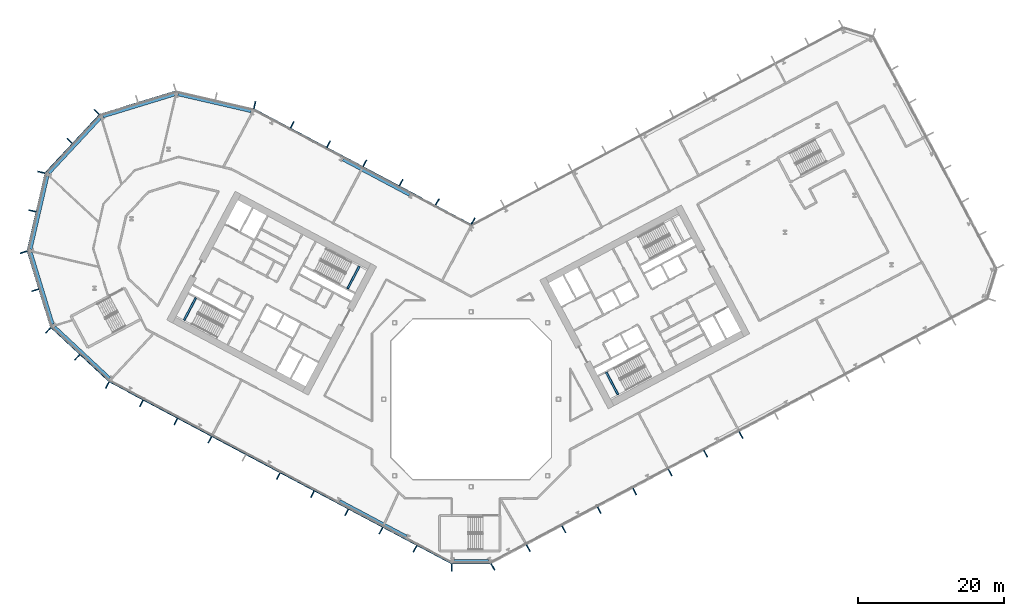
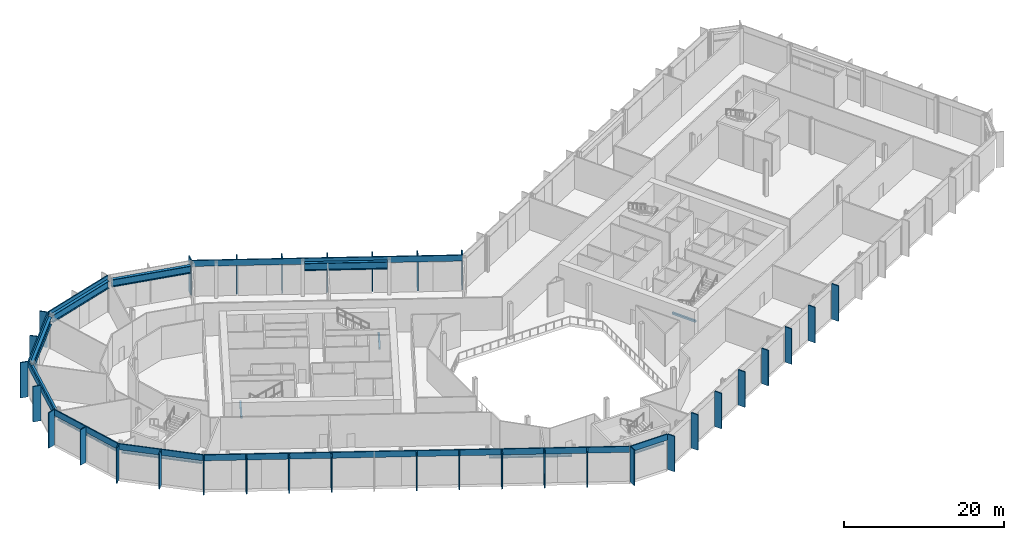
# One storey, part 6 of 30: 41 members, 12 beams, 10 elements without a shape of their own.
"""IFC4 building model written with IfcOpenShell, lengths in metres."""

from ifc_helpers import new_model, si_unit, direction, frame, origin, origin_2d, place, context, subcontext, project, spatial, rectangle, i_section, extrude, material, layer, layer_set, material_profile, profile_set, type_object, element, aggregate, save


model = new_model("IFC4")

# Units and contexts
model_context = context("Model", 3, precision=1e-05, world=origin(), true_north=direction((0.0, 1.0)))
body_context = subcontext(model_context, "Body", "Model", "MODEL_VIEW")
ifc_project = project(units=[si_unit("LENGTHUNIT", "METRE"), si_unit("AREAUNIT", "SQUARE_METRE"), si_unit("VOLUMEUNIT", "CUBIC_METRE"), si_unit("PLANEANGLEUNIT", "RADIAN"), si_unit("MASSUNIT", "GRAM", prefix="KILO")], contexts=[model_context])

# Site, building, storey
site_placement = place(None, origin())
site = spatial("IfcSite", under=ifc_project, at=site_placement, CompositionType="ELEMENT")
building_placement = place(site_placement, origin())
building = spatial("IfcBuilding", under=site, at=building_placement, Name="Cormorant Relay Tower", CompositionType="ELEMENT")
storey_placement = place(building_placement, frame((0.0, 0.0, 55.39990234375)))
storey = spatial("IfcBuildingStorey", under=building, at=storey_placement, Name="L10", CompositionType="ELEMENT", Elevation=55.39990234375)

# Curtain wall, member
ifc_material_1 = material(Name="Aluminium 6063-T6 anodised bronze", Category="aluminium")
ifc_layer = layer(ifc_material_1, 0.235107421875)
ifc_layer_set = layer_set([ifc_layer], Name="CW6 data hall curtain wall with mineral wool panels")
curtain_wall_type = type_object("IfcCurtainWallType", Name="CW6 data hall curtain wall with mineral wool panels", PredefinedType="NOTDEFINED", material=ifc_layer_set)
curtain_wall_1_placement = place(storey_placement, origin())
curtain_wall_1 = element("IfcCurtainWall", 1, at=curtain_wall_1_placement, inside=storey, type_object=curtain_wall_type, Name="CW6 curtain wall 1", PredefinedType="NOTDEFINED")
ifc_material_2 = material(Name="Aluminium 6063-T6 anodised bronze", Category="aluminium")
ifc_material_profile_1 = material_profile(ifc_material_2, rectangle(XDim=0.14990234375, YDim=1.0, at=origin_2d()), Name="AL 150x1000")
ifc_profile_set_1 = profile_set([ifc_material_profile_1], Name="Aluminium 6063-T6 anodised bronze")
member_type_1 = type_object("IfcMemberType", Name="CW6 bronze fin mullion 150 x 1000", PredefinedType="MULLION", material=ifc_profile_set_1)
member_1_placement = place(storey_placement, frame((-2.648681640625, -23.110595703125, 0.0), z_axis=(0.0, 0.0, 1.0), x_axis=(1.0, 0.0, 0.0)))
member_1 = element("IfcMember", 2, at=member_1_placement, type_object=member_type_1, Name="CW6 fin 1.1", PredefinedType="MULLION", context=body_context, shape_type="SweptSolid", body=[
    extrude(rectangle(XDim=0.14990234375, YDim=1.0, at=origin_2d()), origin(), (0.0, 0.0, 1.0), 5.400146484375),
])

# Curtain wall, members
curtain_wall_2_placement = place(storey_placement, origin())
curtain_wall_2 = element("IfcCurtainWall", 3, at=curtain_wall_2_placement, inside=storey, type_object=curtain_wall_type, Name="CW6 curtain wall 2", PredefinedType="NOTDEFINED")
member_2_placement = place(storey_placement, frame((2.993896484375, -23.0244140625, 0.0), z_axis=(0.0, 0.0, 1.0), x_axis=(0.882947592859, 0.469471562786, 0.0)))
member_2 = element("IfcMember", 4, at=member_2_placement, type_object=member_type_1, Name="CW6 fin 2.1", PredefinedType="MULLION", context=body_context, shape_type="SweptSolid", body=[
    extrude(rectangle(XDim=0.14990234375, YDim=1.0, at=origin_2d()), origin(), (0.0, 0.0, 1.0), 5.400146484375),
])
member_3_placement = place(storey_placement, frame((7.860595703125, -20.43701171875, 0.0), z_axis=(0.0, 0.0, 1.0), x_axis=(0.882947592859, 0.469471562786, 0.0)))
member_3 = element("IfcMember", 5, at=member_3_placement, type_object=member_type_1, Name="CW6 fin 2.2", PredefinedType="MULLION", context=body_context, shape_type="SweptSolid", body=[
    extrude(rectangle(XDim=0.14990234375, YDim=1.0, at=origin_2d()), origin(), (0.0, 0.0, 1.0), 5.400146484375),
])
member_4_placement = place(storey_placement, frame((12.727294921875, -17.84912109375, 0.0), z_axis=(0.0, 0.0, 1.0), x_axis=(0.882947592859, 0.469471562786, 0.0)))
member_4 = element("IfcMember", 6, at=member_4_placement, type_object=member_type_1, Name="CW6 fin 2.3", PredefinedType="MULLION", context=body_context, shape_type="SweptSolid", body=[
    extrude(rectangle(XDim=0.14990234375, YDim=1.0, at=origin_2d()), origin(), (0.0, 0.0, 1.0), 5.400146484375),
])
member_5_placement = place(storey_placement, frame((17.593994140625, -15.26171875, 0.0), z_axis=(0.0, 0.0, 1.0), x_axis=(0.882947592859, 0.469471562786, 0.0)))
member_5 = element("IfcMember", 7, at=member_5_placement, type_object=member_type_1, Name="CW6 fin 2.4", PredefinedType="MULLION", context=body_context, shape_type="SweptSolid", body=[
    extrude(rectangle(XDim=0.14990234375, YDim=1.0, at=origin_2d()), origin(), (0.0, 0.0, 1.0), 5.400146484375),
])
member_6_placement = place(storey_placement, frame((22.460693359375, -12.673828125, 0.0), z_axis=(0.0, 0.0, 1.0), x_axis=(0.882947592859, 0.469471562786, 0.0)))
member_6 = element("IfcMember", 8, at=member_6_placement, type_object=member_type_1, Name="CW6 fin 2.5", PredefinedType="MULLION", context=body_context, shape_type="SweptSolid", body=[
    extrude(rectangle(XDim=0.14990234375, YDim=1.0, at=origin_2d()), origin(), (0.0, 0.0, 1.0), 5.400146484375),
])
member_7_placement = place(storey_placement, frame((27.327392578125, -10.086181640625, 0.0), z_axis=(0.0, 0.0, 1.0), x_axis=(0.882947592859, 0.469471562786, 0.0)))
member_7 = element("IfcMember", 9, at=member_7_placement, type_object=member_type_1, Name="CW6 fin 2.6", PredefinedType="MULLION", context=body_context, shape_type="SweptSolid", body=[
    extrude(rectangle(XDim=0.14990234375, YDim=1.0, at=origin_2d()), origin(), (0.0, 0.0, 1.0), 5.400146484375),
])
member_8_placement = place(storey_placement, frame((32.194091796875, -7.49853515625, 0.0), z_axis=(0.0, 0.0, 1.0), x_axis=(0.882947592859, 0.469471562786, 0.0)))
member_8 = element("IfcMember", 10, at=member_8_placement, type_object=member_type_1, Name="CW6 fin 2.7", PredefinedType="MULLION", context=body_context, shape_type="SweptSolid", body=[
    extrude(rectangle(XDim=0.14990234375, YDim=1.0, at=origin_2d()), origin(), (0.0, 0.0, 1.0), 5.400146484375),
])
member_9_placement = place(storey_placement, frame((37.060546875, -4.910888671875, 0.0), z_axis=(0.0, 0.0, 1.0), x_axis=(0.882947592859, 0.469471562786, 0.0)))
member_9 = element("IfcMember", 11, at=member_9_placement, type_object=member_type_1, Name="CW6 fin 2.8", PredefinedType="MULLION", context=body_context, shape_type="SweptSolid", body=[
    extrude(rectangle(XDim=0.14990234375, YDim=1.0, at=origin_2d()), origin(), (0.0, 0.0, 1.0), 5.400146484375),
])
aggregate(curtain_wall_2, [member_2, member_3, member_4, member_5, member_6, member_7, member_8, member_9])

curtain_wall_3_placement = place(storey_placement, origin())
curtain_wall_3 = element("IfcCurtainWall", 12, at=curtain_wall_3_placement, inside=storey, type_object=curtain_wall_type, Name="CW6 curtain wall 7", PredefinedType="NOTDEFINED")
member_10_placement = place(storey_placement, frame((0.27880859375, 24.468017578125, 0.0), z_axis=(0.0, 0.0, 1.0), x_axis=(-0.882947592859, 0.469471562786, 0.0)))
member_10 = element("IfcMember", 13, at=member_10_placement, type_object=member_type_1, Name="CW6 fin 7.1", PredefinedType="MULLION", context=body_context, shape_type="SweptSolid", body=[
    extrude(rectangle(XDim=0.14990234375, YDim=1.0, at=origin_2d()), origin(), (0.0, 0.0, 1.0), 5.400146484375),
])
member_11_placement = place(storey_placement, frame((-4.6337890625, 27.080322265625, 0.0), z_axis=(0.0, 0.0, 1.0), x_axis=(-0.882947592859, 0.469471562786, 0.0)))
member_11 = element("IfcMember", 14, at=member_11_placement, type_object=member_type_1, Name="CW6 fin 7.2", PredefinedType="MULLION", context=body_context, shape_type="SweptSolid", body=[
    extrude(rectangle(XDim=0.14990234375, YDim=1.0, at=origin_2d()), origin(), (0.0, 0.0, 1.0), 5.400146484375),
])
member_12_placement = place(storey_placement, frame((-9.61279296875, 29.727783203125, 0.0), z_axis=(0.0, 0.0, 1.0), x_axis=(-0.882947592859, 0.469471562786, 0.0)))
member_12 = element("IfcMember", 15, at=member_12_placement, type_object=member_type_1, Name="CW6 fin 7.3", PredefinedType="MULLION", context=body_context, shape_type="SweptSolid", body=[
    extrude(rectangle(XDim=0.14990234375, YDim=1.0, at=origin_2d()), origin(), (0.0, 0.0, 1.0), 5.400146484375),
])
member_13_placement = place(storey_placement, frame((-14.591796875, 32.375, 0.0), z_axis=(0.0, 0.0, 1.0), x_axis=(-0.882947592859, 0.469471562786, 0.0)))
member_13 = element("IfcMember", 16, at=member_13_placement, type_object=member_type_1, Name="CW6 fin 7.4", PredefinedType="MULLION", context=body_context, shape_type="SweptSolid", body=[
    extrude(rectangle(XDim=0.14990234375, YDim=1.0, at=origin_2d()), origin(), (0.0, 0.0, 1.0), 5.400146484375),
])
member_14_placement = place(storey_placement, frame((-19.57080078125, 35.0224609375, 0.0), z_axis=(0.0, 0.0, 1.0), x_axis=(-0.882947592859, 0.469471562786, 0.0)))
member_14 = element("IfcMember", 17, at=member_14_placement, type_object=member_type_1, Name="CW6 fin 7.5", PredefinedType="MULLION", context=body_context, shape_type="SweptSolid", body=[
    extrude(rectangle(XDim=0.14990234375, YDim=1.0, at=origin_2d()), origin(), (0.0, 0.0, 1.0), 5.400146484375),
])
member_15_placement = place(storey_placement, frame((-24.5498046875, 37.669677734375, 0.0), z_axis=(0.0, 0.0, 1.0), x_axis=(-0.882947592859, 0.469471562786, 0.0)))
member_15 = element("IfcMember", 18, at=member_15_placement, type_object=member_type_1, Name="CW6 fin 7.6", PredefinedType="MULLION", context=body_context, shape_type="SweptSolid", body=[
    extrude(rectangle(XDim=0.14990234375, YDim=1.0, at=origin_2d()), origin(), (0.0, 0.0, 1.0), 5.400146484375),
])

# Curtain wall, member
curtain_wall_4_placement = place(storey_placement, origin())
curtain_wall_4 = element("IfcCurtainWall", 19, at=curtain_wall_4_placement, inside=storey, type_object=curtain_wall_type, Name="CW6 curtain wall 8", PredefinedType="NOTDEFINED")
member_16_placement = place(storey_placement, frame((-29.70849609375, 40.38427734375, 0.0), z_axis=(0.0, 0.0, 1.0), x_axis=(-0.974370064785, 0.224951054344, 0.0)))
member_16 = element("IfcMember", 20, at=member_16_placement, type_object=member_type_1, Name="CW6 fin 8.1", PredefinedType="MULLION", context=body_context, shape_type="SweptSolid", body=[
    extrude(rectangle(XDim=0.14990234375, YDim=1.0, at=origin_2d()), origin(), (0.0, 0.0, 1.0), 5.400146484375),
])
aggregate(curtain_wall_4, [member_16])

# Curtain wall, members
curtain_wall_5_placement = place(storey_placement, origin())
curtain_wall_5 = element("IfcCurtainWall", 21, at=curtain_wall_5_placement, inside=storey, type_object=curtain_wall_type, Name="CW6 curtain wall 10", PredefinedType="NOTDEFINED")
member_17_placement = place(storey_placement, frame((-51.3984375, 39.4365234375, 0.0), z_axis=(0.0, 0.0, 1.0), x_axis=(-0.681998360062, -0.731353701619, 0.0)))
member_17 = element("IfcMember", 22, at=member_17_placement, type_object=member_type_1, Name="CW6 fin 10.1", PredefinedType="MULLION", context=body_context, shape_type="SweptSolid", body=[
    extrude(rectangle(XDim=0.14990234375, YDim=1.0, at=origin_2d()), origin(), (0.0, 0.0, 1.0), 5.400146484375),
])
member_18_placement = place(storey_placement, frame((-55.105224609375, 35.46142578125, 0.0), z_axis=(0.0, 0.0, 1.0), x_axis=(-0.681998360062, -0.731353701619, 0.0)))
member_18 = element("IfcMember", 23, at=member_18_placement, type_object=member_type_1, Name="CW6 fin 10.2", PredefinedType="MULLION", context=body_context, shape_type="SweptSolid", body=[
    extrude(rectangle(XDim=0.14990234375, YDim=1.0, at=origin_2d()), origin(), (0.0, 0.0, 1.0), 5.400146484375),
])

curtain_wall_6_placement = place(storey_placement, origin())
curtain_wall_6 = element("IfcCurtainWall", 24, at=curtain_wall_6_placement, inside=storey, type_object=curtain_wall_type, Name="CW6 curtain wall 11", PredefinedType="NOTDEFINED")
member_19_placement = place(storey_placement, frame((-58.99072265625, 31.150390625, 0.0), z_axis=(0.0, 0.0, 1.0), x_axis=(-0.224951054344, -0.974370064785, 0.0)))
member_19 = element("IfcMember", 25, at=member_19_placement, type_object=member_type_1, Name="CW6 fin 11.1", PredefinedType="MULLION", context=body_context, shape_type="SweptSolid", body=[
    extrude(rectangle(XDim=0.14990234375, YDim=1.0, at=origin_2d()), origin(), (0.0, 0.0, 1.0), 5.400146484375),
])
member_20_placement = place(storey_placement, frame((-60.21337890625, 25.8544921875, 0.0), z_axis=(0.0, 0.0, 1.0), x_axis=(-0.224951054344, -0.974370064785, 0.0)))
member_20 = element("IfcMember", 26, at=member_20_placement, type_object=member_type_1, Name="CW6 fin 11.2", PredefinedType="MULLION", context=body_context, shape_type="SweptSolid", body=[
    extrude(rectangle(XDim=0.14990234375, YDim=1.0, at=origin_2d()), origin(), (0.0, 0.0, 1.0), 5.400146484375),
])

curtain_wall_7_placement = place(storey_placement, origin())
curtain_wall_7 = element("IfcCurtainWall", 27, at=curtain_wall_7_placement, inside=storey, type_object=curtain_wall_type, Name="CW6 curtain wall 12", PredefinedType="NOTDEFINED")
member_21_placement = place(storey_placement, frame((-61.422607421875, 20.178466796875, 0.0), z_axis=(0.0, 0.0, 1.0), x_axis=(0.292371704723, -0.956304755963, 0.0)))
member_21 = element("IfcMember", 28, at=member_21_placement, type_object=member_type_1, Name="CW6 fin 12.1", PredefinedType="MULLION", context=body_context, shape_type="SweptSolid", body=[
    extrude(rectangle(XDim=0.14990234375, YDim=1.0, at=origin_2d()), origin(), (0.0, 0.0, 1.0), 5.400146484375),
])
member_22_placement = place(storey_placement, frame((-59.83349609375, 14.980712890625, 0.0), z_axis=(0.0, 0.0, 1.0), x_axis=(0.292371704723, -0.956304755963, 0.0)))
member_22 = element("IfcMember", 29, at=member_22_placement, type_object=member_type_1, Name="CW6 fin 12.2", PredefinedType="MULLION", context=body_context, shape_type="SweptSolid", body=[
    extrude(rectangle(XDim=0.14990234375, YDim=1.0, at=origin_2d()), origin(), (0.0, 0.0, 1.0), 5.400146484375),
])

curtain_wall_8_placement = place(storey_placement, origin())
curtain_wall_8 = element("IfcCurtainWall", 30, at=curtain_wall_8_placement, inside=storey, type_object=curtain_wall_type, Name="CW6 curtain wall 13", PredefinedType="NOTDEFINED")
member_23_placement = place(storey_placement, frame((-58.04296875, 9.46044921875, 0.0), z_axis=(0.0, 0.0, 1.0), x_axis=(0.731353701619, -0.681998360062, 0.0)))
member_23 = element("IfcMember", 31, at=member_23_placement, type_object=member_type_1, Name="CW6 fin 13.1", PredefinedType="MULLION", context=body_context, shape_type="SweptSolid", body=[
    extrude(rectangle(XDim=0.14990234375, YDim=1.0, at=origin_2d()), origin(), (0.0, 0.0, 1.0), 5.400146484375),
])
member_24_placement = place(storey_placement, frame((-54.06787109375, 5.753662109375, 0.0), z_axis=(0.0, 0.0, 1.0), x_axis=(0.731353701619, -0.681998360062, 0.0)))
member_24 = element("IfcMember", 32, at=member_24_placement, type_object=member_type_1, Name="CW6 fin 13.2", PredefinedType="MULLION", context=body_context, shape_type="SweptSolid", body=[
    extrude(rectangle(XDim=0.14990234375, YDim=1.0, at=origin_2d()), origin(), (0.0, 0.0, 1.0), 5.400146484375),
])

curtain_wall_9_placement = place(storey_placement, origin())
curtain_wall_9 = element("IfcCurtainWall", 33, at=curtain_wall_9_placement, inside=storey, type_object=curtain_wall_type, Name="CW6 curtain wall 14", PredefinedType="NOTDEFINED")
member_25_placement = place(storey_placement, frame((-49.9365234375, 1.935302734375, 0.0), z_axis=(0.0, 0.0, 1.0), x_axis=(0.882947592859, -0.469471562786, 0.0)))
member_25 = element("IfcMember", 34, at=member_25_placement, type_object=member_type_1, Name="CW6 fin 14.1", PredefinedType="MULLION", context=body_context, shape_type="SweptSolid", body=[
    extrude(rectangle(XDim=0.14990234375, YDim=1.0, at=origin_2d()), origin(), (0.0, 0.0, 1.0), 5.400146484375),
])
member_26_placement = place(storey_placement, frame((-45.2421875, -0.560546875, 0.0), z_axis=(0.0, 0.0, 1.0), x_axis=(0.882947592859, -0.469471562786, 0.0)))
member_26 = element("IfcMember", 35, at=member_26_placement, type_object=member_type_1, Name="CW6 fin 14.2", PredefinedType="MULLION", context=body_context, shape_type="SweptSolid", body=[
    extrude(rectangle(XDim=0.14990234375, YDim=1.0, at=origin_2d()), origin(), (0.0, 0.0, 1.0), 5.400146484375),
])
member_27_placement = place(storey_placement, frame((-40.548095703125, -3.056640625, 0.0), z_axis=(0.0, 0.0, 1.0), x_axis=(0.882947592859, -0.469471562786, 0.0)))
member_27 = element("IfcMember", 36, at=member_27_placement, type_object=member_type_1, Name="CW6 fin 14.3", PredefinedType="MULLION", context=body_context, shape_type="SweptSolid", body=[
    extrude(rectangle(XDim=0.14990234375, YDim=1.0, at=origin_2d()), origin(), (0.0, 0.0, 1.0), 5.400146484375),
])
member_28_placement = place(storey_placement, frame((-35.853759765625, -5.552490234375, 0.0), z_axis=(0.0, 0.0, 1.0), x_axis=(0.882947592859, -0.469471562786, 0.0)))
member_28 = element("IfcMember", 37, at=member_28_placement, type_object=member_type_1, Name="CW6 fin 14.4", PredefinedType="MULLION", context=body_context, shape_type="SweptSolid", body=[
    extrude(rectangle(XDim=0.14990234375, YDim=1.0, at=origin_2d()), origin(), (0.0, 0.0, 1.0), 5.400146484375),
])
member_29_placement = place(storey_placement, frame((-26.46533203125, -10.544677734375, 0.0), z_axis=(0.0, 0.0, 1.0), x_axis=(0.882947592859, -0.469471562786, 0.0)))
member_29 = element("IfcMember", 38, at=member_29_placement, type_object=member_type_1, Name="CW6 fin 14.6", PredefinedType="MULLION", context=body_context, shape_type="SweptSolid", body=[
    extrude(rectangle(XDim=0.14990234375, YDim=1.0, at=origin_2d()), origin(), (0.0, 0.0, 1.0), 5.400146484375),
])
member_30_placement = place(storey_placement, frame((-21.77099609375, -13.04052734375, 0.0), z_axis=(0.0, 0.0, 1.0), x_axis=(0.882947592859, -0.469471562786, 0.0)))
member_30 = element("IfcMember", 39, at=member_30_placement, type_object=member_type_1, Name="CW6 fin 14.7", PredefinedType="MULLION", context=body_context, shape_type="SweptSolid", body=[
    extrude(rectangle(XDim=0.14990234375, YDim=1.0, at=origin_2d()), origin(), (0.0, 0.0, 1.0), 5.400146484375),
])
member_31_placement = place(storey_placement, frame((-17.07666015625, -15.53662109375, 0.0), z_axis=(0.0, 0.0, 1.0), x_axis=(0.882947592859, -0.469471562786, 0.0)))
member_31 = element("IfcMember", 40, at=member_31_placement, type_object=member_type_1, Name="CW6 fin 14.8", PredefinedType="MULLION", context=body_context, shape_type="SweptSolid", body=[
    extrude(rectangle(XDim=0.14990234375, YDim=1.0, at=origin_2d()), origin(), (0.0, 0.0, 1.0), 5.400146484375),
])
member_32_placement = place(storey_placement, frame((-12.38232421875, -18.032470703125, 0.0), z_axis=(0.0, 0.0, 1.0), x_axis=(0.882947592859, -0.469471562786, 0.0)))
member_32 = element("IfcMember", 41, at=member_32_placement, type_object=member_type_1, Name="CW6 fin 14.9", PredefinedType="MULLION", context=body_context, shape_type="SweptSolid", body=[
    extrude(rectangle(XDim=0.14990234375, YDim=1.0, at=origin_2d()), origin(), (0.0, 0.0, 1.0), 5.400146484375),
])
member_33_placement = place(storey_placement, frame((-7.688232421875, -20.528564453125, 0.0), z_axis=(0.0, 0.0, 1.0), x_axis=(0.882947592859, -0.469471562786, 0.0)))
member_33 = element("IfcMember", 42, at=member_33_placement, type_object=member_type_1, Name="CW6 fin 14.10", PredefinedType="MULLION", context=body_context, shape_type="SweptSolid", body=[
    extrude(rectangle(XDim=0.14990234375, YDim=1.0, at=origin_2d()), origin(), (0.0, 0.0, 1.0), 5.400146484375),
])

# Member
ifc_material_3 = material(Name="Aluminium 6063-T6 anodised bronze", Category="aluminium")
ifc_material_profile_2 = material_profile(ifc_material_3, rectangle(XDim=0.159912109375, YDim=0.89990234375, at=origin_2d()), Name="AL 160x900")
ifc_profile_set_2 = profile_set([ifc_material_profile_2], Name="Aluminium 6063-T6 anodised bronze")
member_type_2 = type_object("IfcMemberType", Name="CW6 bronze transom 160 x 900", PredefinedType="USERDEFINED", material=ifc_profile_set_2)
member_34_placement = place(storey_placement, frame((-2.648681640625, -22.530517578125, 4.9501953125), z_axis=(1.0, 0.0, 0.0), x_axis=(0.0, 1.0, 0.0)))
member_34 = element("IfcMember", 43, at=member_34_placement, type_object=member_type_2, Name="CW6 transom 1", ObjectType="TRANSOM", PredefinedType="USERDEFINED", context=body_context, shape_type="SweptSolid", body=[
    extrude(rectangle(XDim=0.159912109375, YDim=0.89990234375, at=origin_2d()), origin(), (0.0, 0.0, 1.0), 5.29736328125),
])

aggregate(curtain_wall_1, [member_1, member_34])

member_35_placement = place(storey_placement, frame((0.07275390625, 23.9208984375, 4.9501953125), z_axis=(-0.882949271414, 0.46946840587, 0.0), x_axis=(-0.46946840587, -0.882949271414, 0.0)))
member_35 = element("IfcMember", 44, at=member_35_placement, type_object=member_type_2, Name="CW6 transom 7", ObjectType="TRANSOM", PredefinedType="USERDEFINED", context=body_context, shape_type="SweptSolid", body=[
    extrude(rectangle(XDim=0.159912109375, YDim=0.89990234375, at=origin_2d()), origin(), (0.0, 0.0, 1.0), 33.833984375),
])

aggregate(curtain_wall_3, [member_10, member_11, member_12, member_13, member_14, member_15, member_35])

# Curtain wall, member
curtain_wall_10_placement = place(storey_placement, origin())
curtain_wall_10 = element("IfcCurtainWall", 45, at=curtain_wall_10_placement, inside=storey, type_object=curtain_wall_type, Name="CW6 curtain wall 9", PredefinedType="NOTDEFINED")
member_36_placement = place(storey_placement, frame((-40.5107421875, 42.26171875, 4.9501953125), z_axis=(-0.956304833932, -0.292371449698, 0.0), x_axis=(0.292371449698, -0.956304833932, 0.0)))
member_36 = element("IfcMember", 46, at=member_36_placement, type_object=member_type_2, Name="CW6 transom 9", ObjectType="TRANSOM", PredefinedType="USERDEFINED", context=body_context, shape_type="SweptSolid", body=[
    extrude(rectangle(XDim=0.159912109375, YDim=0.89990234375, at=origin_2d()), origin(), (0.0, 0.0, 1.0), 10.87060546875),
])
aggregate(curtain_wall_10, [member_36])

# Member
member_37_placement = place(storey_placement, frame((-50.974365234375, 39.041015625, 4.9501953125), z_axis=(-0.681993299437, -0.731358420696, 0.0), x_axis=(0.731358420696, -0.681993299437, 0.0)))
member_37 = element("IfcMember", 47, at=member_37_placement, type_object=member_type_2, Name="CW6 transom 10", ObjectType="TRANSOM", PredefinedType="USERDEFINED", context=body_context, shape_type="SweptSolid", body=[
    extrude(rectangle(XDim=0.159912109375, YDim=0.89990234375, at=origin_2d()), origin(), (0.0, 0.0, 1.0), 10.870361328125),
])

aggregate(curtain_wall_5, [member_17, member_18, member_37])

member_38_placement = place(storey_placement, frame((-58.425537109375, 31.02001953125, 4.9501953125), z_axis=(-0.22495136131, -0.974369993916, 0.0), x_axis=(0.974369993916, -0.22495136131, 0.0)))
member_38 = element("IfcMember", 48, at=member_38_placement, type_object=member_type_2, Name="CW6 transom 11", ObjectType="TRANSOM", PredefinedType="USERDEFINED", context=body_context, shape_type="SweptSolid", body=[
    extrude(rectangle(XDim=0.159912109375, YDim=0.89990234375, at=origin_2d()), origin(), (0.0, 0.0, 1.0), 10.870361328125),
])

aggregate(curtain_wall_6, [member_19, member_20, member_38])

member_39_placement = place(storey_placement, frame((-60.8681640625, 20.347900390625, 4.9501953125), z_axis=(0.292377729282, -0.95630291405, 0.0), x_axis=(0.95630291405, 0.292377729282, 0.0)))
member_39 = element("IfcMember", 49, at=member_39_placement, type_object=member_type_2, Name="CW6 transom 12", ObjectType="TRANSOM", PredefinedType="USERDEFINED", context=body_context, shape_type="SweptSolid", body=[
    extrude(rectangle(XDim=0.159912109375, YDim=0.89990234375, at=origin_2d()), origin(), (0.0, 0.0, 1.0), 10.870361328125),
])

aggregate(curtain_wall_7, [member_21, member_22, member_39])

member_40_placement = place(storey_placement, frame((-57.6474609375, 9.884521484375, 4.9501953125), z_axis=(0.731358420696, -0.681993299437, 0.0), x_axis=(0.681993299437, 0.731358420696, 0.0)))
member_40 = element("IfcMember", 50, at=member_40_placement, type_object=member_type_2, Name="CW6 transom 13", ObjectType="TRANSOM", PredefinedType="USERDEFINED", context=body_context, shape_type="SweptSolid", body=[
    extrude(rectangle(XDim=0.159912109375, YDim=0.89990234375, at=origin_2d()), origin(), (0.0, 0.0, 1.0), 10.870361328125),
])

aggregate(curtain_wall_8, [member_23, member_24, member_40])

member_41_placement = place(storey_placement, frame((-49.664306640625, 2.447509765625, 4.9501953125), z_axis=(0.882946630435, -0.469473372838, 0.0), x_axis=(0.469473372838, 0.882946630435, 0.0)))
member_41 = element("IfcMember", 51, at=member_41_placement, type_object=member_type_2, Name="CW6 transom 14", ObjectType="TRANSOM", PredefinedType="USERDEFINED", context=body_context, shape_type="SweptSolid", body=[
    extrude(rectangle(XDim=0.159912109375, YDim=0.89990234375, at=origin_2d()), origin(), (0.0, 0.0, 1.0), 53.165771484375),
])

aggregate(curtain_wall_9, [member_25, member_26, member_27, member_28, member_29, member_30, member_31, member_32, member_33, member_41])

# Beams
ifc_material_4 = material(Name="Steel ASTM A992 (Fy 345 MPa)", Category="steel")
ifc_material_profile_3 = material_profile(ifc_material_4, i_section(OverallWidth=0.408935546875, OverallDepth=1.137939453125, WebThickness=0.031005859375, FlangeThickness=0.05517578125, FilletRadius=0.02001953125, at=origin_2d()), Name="W1100x607")
ifc_profile_set_3 = profile_set([ifc_material_profile_3], Name="Steel ASTM A992 (Fy 345 MPa)")
beam_type_1 = type_object("IfcBeamType", Name="Spandrel W1100x607", PredefinedType="SPANDREL", material=ifc_profile_set_3)
beam_1_placement = place(storey_placement, frame((-2.331787109375, -22.171142578125, 4.381103515625), z_axis=(1.0, 0.0, 0.0), x_axis=(0.0, 1.0, 0.0)))
element("IfcBeam", 52, at=beam_1_placement, inside=storey, type_object=beam_type_1, Name="Spandrel beam L10-001", PredefinedType="SPANDREL", context=body_context, shape_type="SweptSolid", body=[
    extrude(i_section(OverallWidth=0.408935546875, OverallDepth=1.137939453125, WebThickness=0.031005859375, FlangeThickness=0.05517578125, FilletRadius=0.02001953125, at=origin_2d()), origin(), (0.0, 0.0, 1.0), 4.71533203125),
])
beam_2_placement = place(storey_placement, frame((-8.442138671875, 28.041015625, 4.381103515625), z_axis=(-0.882941792792, 0.469482470963, 0.0), x_axis=(-0.469482470963, -0.882941792792, 0.0)))
element("IfcBeam", 53, at=beam_2_placement, inside=storey, type_object=beam_type_1, Name="Spandrel beam L10-007", PredefinedType="SPANDREL", context=body_context, shape_type="SweptSolid", body=[
    extrude(i_section(OverallWidth=0.408935546875, OverallDepth=1.137939453125, WebThickness=0.031005859375, FlangeThickness=0.05517578125, FilletRadius=0.02001953125, at=origin_2d()), origin(), (0.0, 0.0, 1.0), 10.363037109375),
])
beam_3_placement = place(storey_placement, frame((-30.184814453125, 39.530029296875, 4.381103515625), z_axis=(-0.974369683491, 0.224952705905, 0.0), x_axis=(-0.224952705905, -0.974369683491, 0.0)))
element("IfcBeam", 54, at=beam_3_placement, inside=storey, type_object=beam_type_1, Name="Spandrel beam L10-008", PredefinedType="SPANDREL", context=body_context, shape_type="SweptSolid", body=[
    extrude(i_section(OverallWidth=0.408935546875, OverallDepth=1.137939453125, WebThickness=0.031005859375, FlangeThickness=0.05517578125, FilletRadius=0.02001953125, at=origin_2d()), origin(), (0.0, 0.0, 1.0), 10.3310546875),
])
beam_4_placement = place(storey_placement, frame((-40.716796875, 41.82275390625, 4.381103515625), z_axis=(-0.956304908485, -0.292371205845, 0.0), x_axis=(0.292371205845, -0.956304908485, 0.0)))
element("IfcBeam", 55, at=beam_4_placement, inside=storey, type_object=beam_type_1, Name="Spandrel beam L10-009", PredefinedType="SPANDREL", context=body_context, shape_type="SweptSolid", body=[
    extrude(i_section(OverallWidth=0.408935546875, OverallDepth=1.137939453125, WebThickness=0.031005859375, FlangeThickness=0.05517578125, FilletRadius=0.02001953125, at=origin_2d()), origin(), (0.0, 0.0, 1.0), 10.278564453125),
])
beam_5_placement = place(storey_placement, frame((-50.93359375, 38.557373046875, 4.381103515625), z_axis=(-0.682005863937, -0.731346704071, 0.0), x_axis=(0.731346704071, -0.682005863937, 0.0)))
element("IfcBeam", 56, at=beam_5_placement, inside=storey, type_object=beam_type_1, Name="Spandrel beam L10-010", PredefinedType="SPANDREL", context=body_context, shape_type="SweptSolid", body=[
    extrude(i_section(OverallWidth=0.408935546875, OverallDepth=1.137939453125, WebThickness=0.031005859375, FlangeThickness=0.05517578125, FilletRadius=0.02001953125, at=origin_2d()), origin(), (0.0, 0.0, 1.0), 10.277099609375),
])
beam_6_placement = place(storey_placement, frame((-58.1484375, 30.6220703125, 4.381103515625), z_axis=(-0.224956659484, -0.97436877072, 0.0), x_axis=(0.97436877072, -0.224956659484, 0.0)))
element("IfcBeam", 57, at=beam_6_placement, inside=storey, type_object=beam_type_1, Name="Spandrel beam L10-011", PredefinedType="SPANDREL", context=body_context, shape_type="SweptSolid", body=[
    extrude(i_section(OverallWidth=0.408935546875, OverallDepth=1.137939453125, WebThickness=0.031005859375, FlangeThickness=0.05517578125, FilletRadius=0.02001953125, at=origin_2d()), origin(), (0.0, 0.0, 1.0), 10.277587890625),
])
beam_7_placement = place(storey_placement, frame((-60.42919921875, 20.14208984375, 4.381103515625), z_axis=(0.292364564847, -0.956306938813, 0.0), x_axis=(0.956306938813, 0.292364564847, 0.0)))
element("IfcBeam", 58, at=beam_7_placement, inside=storey, type_object=beam_type_1, Name="Spandrel beam L10-012", PredefinedType="SPANDREL", context=body_context, shape_type="SweptSolid", body=[
    extrude(i_section(OverallWidth=0.408935546875, OverallDepth=1.137939453125, WebThickness=0.031005859375, FlangeThickness=0.05517578125, FilletRadius=0.02001953125, at=origin_2d()), origin(), (0.0, 0.0, 1.0), 10.27880859375),
])
beam_8_placement = place(storey_placement, frame((-57.163818359375, 9.925048828125, 4.381103515625), z_axis=(0.731361805756, -0.681989669336, 0.0), x_axis=(0.681989669336, 0.731361805756, 0.0)))
element("IfcBeam", 59, at=beam_8_placement, inside=storey, type_object=beam_type_1, Name="Spandrel beam L10-013", PredefinedType="SPANDREL", context=body_context, shape_type="SweptSolid", body=[
    extrude(i_section(OverallWidth=0.408935546875, OverallDepth=1.137939453125, WebThickness=0.031005859375, FlangeThickness=0.05517578125, FilletRadius=0.02001953125, at=origin_2d()), origin(), (0.0, 0.0, 1.0), 10.30029296875),
])
beam_9_placement = place(storey_placement, frame((-18.04638671875, -13.95703125, 4.381103515625), z_axis=(0.882942412403, -0.469481305677, 0.0), x_axis=(0.469481305677, 0.882942412403, 0.0)))
element("IfcBeam", 60, at=beam_9_placement, inside=storey, type_object=beam_type_1, Name="Spandrel beam L10-014", PredefinedType="SPANDREL", context=body_context, shape_type="SweptSolid", body=[
    extrude(i_section(OverallWidth=0.408935546875, OverallDepth=1.137939453125, WebThickness=0.031005859375, FlangeThickness=0.05517578125, FilletRadius=0.02001953125, at=origin_2d()), origin(), (0.0, 0.0, 1.0), 10.363525390625),
])
ifc_material_5 = material(Name="Concrete 50 MPa", Category="concrete")
ifc_material_profile_4 = material_profile(ifc_material_5, rectangle(XDim=0.25, YDim=0.300048828125, at=origin_2d()), Name="RC 250x300")
ifc_profile_set_4 = profile_set([ifc_material_profile_4], Name="Concrete 50 MPa")
beam_type_2 = type_object("IfcBeamType", Name="Stair landing ledge beam 250x300", PredefinedType="BEAM", material=ifc_profile_set_4)
for number, where, z_axis, x_axis, name in (
    (61, (-16.9677734375, 15.1943359375, 2.35009765625), (0.469463917486, 0.882951657895, 0.0), (-0.882951657895, 0.469463917486, 0.0), "A1 landing ledge beam"),
    (62, (-37.77490234375, 13.912841796875, 2.35009765625), (-0.469519084434, -0.88292232351, 0.0), (0.88292232351, -0.469519084434, 0.0), "A2 landing ledge beam"),
    (63, (18.55322265625, 3.6923828125, 2.35009765625), (0.469463917486, -0.882951657895, 0.0), (0.882951657895, 0.469463917486, 0.0), "B1 landing ledge beam"),
):
    element("IfcBeam", number, at=place(storey_placement, frame(where, z_axis=z_axis, x_axis=x_axis)), inside=storey, type_object=beam_type_2, Name=name, PredefinedType="BEAM", context=body_context, shape_type="SweptSolid", body=[
        extrude(rectangle(XDim=0.25, YDim=0.300048828125, at=origin_2d()), origin(), (0.0, 0.0, 1.0), 3.449951171875),
    ])

save(model, "model.ifc")
